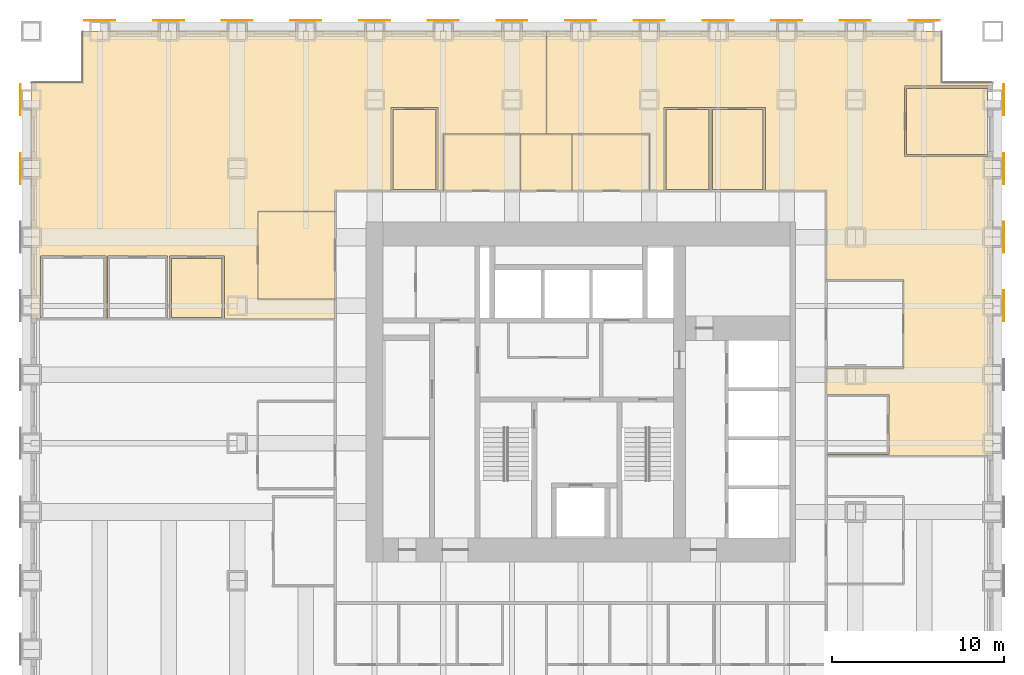
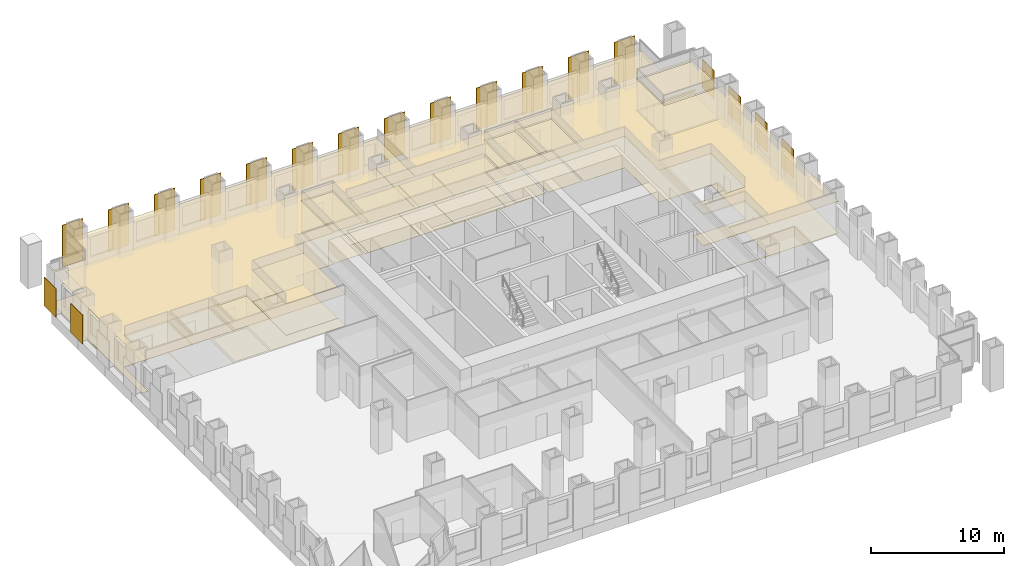
# One storey, part 15 of 15: 22 coverings, 19 shading devices.
"""IFC4 building model written with IfcOpenShell, lengths in metres."""

import ifcopenshell
import ifcopenshell.guid

model = None  # the IFC model being written
_history = None  # IfcOwnerHistory: only IFC2X3 demands one
_inside = {}  # id of a spatial element -> (the spatial element, [elements in it])
_under = {}  # id of a project, library or spatial element -> (it, [spatial elements below it])
_declared = {}  # id of a project -> (the project, [libraries it declares])
_typed = {}  # id of a type object -> (the type object, [elements of that type])
_made_of = {}  # id of a material, layer set ... -> (it, [elements and type objects made of it])


def new_model(schema):
    """Start an empty IFC model of exactly this schema.

    Asked for "IFC4X3", IfcOpenShell would pick the latest addendum, in which some entities
    have other attributes; the version numbers below select the first issue.
    IFC2X3 requires an IfcOwnerHistory on every rooted entity: one is made here for all.
    """
    global model, _history
    if schema == "IFC4X3":
        model = ifcopenshell.file(schema_version=(4, 3, 0, 0))
    else:
        model = ifcopenshell.file(schema=schema)
    _inside.clear()
    _under.clear()
    _declared.clear()
    _typed.clear()
    _made_of.clear()
    _history = None
    if model.schema == "IFC2X3":
        org = make("IfcOrganization", Name="unknown")
        user = make(
            "IfcPersonAndOrganization",
            ThePerson=make("IfcPerson", FamilyName="unknown"),
            TheOrganization=org,
        )
        app = make(
            "IfcApplication",
            ApplicationDeveloper=org,
            Version="unknown",
            ApplicationFullName="unknown",
            ApplicationIdentifier="unknown",
        )
        _history = make(
            "IfcOwnerHistory",
            OwningUser=user,
            OwningApplication=app,
            ChangeAction="ADDED",
            CreationDate=0,
        )
    return model


def make(cls, **values):
    """One entity of the class cls with the attributes given. An attribute that is None is left unset."""
    return model.create_entity(
        cls, **{name: value for name, value in values.items() if value is not None}
    )


def rooted(cls, **values):
    """An entity with a GlobalId (a new one), such as an element, a storey or a relation."""
    return make(cls, GlobalId=ifcopenshell.guid.new(), OwnerHistory=_history, **values)


def si_unit(unit_type, name, prefix=None):
    """IfcSIUnit, for example si_unit("LENGTHUNIT", "METRE", prefix="MILLI")."""
    return make("IfcSIUnit", UnitType=unit_type, Prefix=prefix, Name=name)


def assignment(units):
    """IfcUnitAssignment: the units of a project."""
    return None if units is None else make("IfcUnitAssignment", Units=units)


def point(xyz):
    """IfcCartesianPoint."""
    return None if xyz is None else make("IfcCartesianPoint", Coordinates=xyz)


def direction(xyz):
    """IfcDirection."""
    return None if xyz is None else make("IfcDirection", DirectionRatios=xyz)


def frame(location, z_axis=None, x_axis=None):
    """IfcAxis2Placement3D, a coordinate frame: its origin and axes. An axis left out is left unset."""
    return make(
        "IfcAxis2Placement3D",
        Location=point(location),
        Axis=direction(z_axis),
        RefDirection=direction(x_axis),
    )


def frame_2d(location, x_axis=None):
    """IfcAxis2Placement2D, a coordinate frame in the plane: its origin and x axis."""
    return make(
        "IfcAxis2Placement2D", Location=point(location), RefDirection=direction(x_axis)
    )


def origin():
    """The frame at (0, 0, 0) with its axes left unset."""
    return frame((0.0, 0.0, 0.0))


def origin_2d():
    """The frame at (0, 0) in the plane with its x axis left unset."""
    return frame_2d((0.0, 0.0))


def place(relative_to, where):
    """IfcLocalPlacement: puts the frame where relative to a parent placement (None: the world)."""
    return make(
        "IfcLocalPlacement", PlacementRelTo=relative_to, RelativePlacement=where
    )


def context(
    kind, dimensions, precision=None, world=None, true_north=None, identifier=None
):
    """IfcGeometricRepresentationContext, for example the 3D "Model" context."""
    return make(
        "IfcGeometricRepresentationContext",
        ContextIdentifier=identifier,
        ContextType=kind,
        CoordinateSpaceDimension=dimensions,
        Precision=precision,
        WorldCoordinateSystem=world,
        TrueNorth=true_north,
    )


def subcontext(parent, identifier, kind, view, scale=None):
    """IfcGeometricRepresentationSubContext, for example "Body" below "Model"."""
    return make(
        "IfcGeometricRepresentationSubContext",
        ContextIdentifier=identifier,
        ContextType=kind,
        ParentContext=parent,
        TargetScale=scale,
        TargetView=view,
    )


def project(units=None, contexts=None):
    """IfcProject with its units and contexts."""
    return rooted(
        "IfcProject",
        Name="project",
        RepresentationContexts=contexts,
        UnitsInContext=assignment(units),
    )


def spatial(cls, under=None, at=None, **own):
    """A site, building, storey or space (cls), placed at a placement, below another one or the project."""
    s = rooted(cls, ObjectPlacement=at, **own)
    if under is not None:
        _under.setdefault(under.id(), (under, []))[1].append(s)
    return s


def polyline(points):
    """IfcPolyline through the points."""
    return make("IfcPolyline", Points=[point(p) for p in points])


def profile(cls, at=None, kind="AREA", **sizes):
    """A parametric profile (cls). Its sizes go by their IFC names, for example OverallWidth=200.0."""
    return make(cls, ProfileType=kind, Position=at, **sizes)


def rectangle(**sizes):
    """IfcRectangleProfileDef."""
    return profile("IfcRectangleProfileDef", **sizes)


def outline(outer, holes=None, kind="AREA"):
    """IfcArbitraryClosedProfileDef: a profile drawn as a closed curve; with holes, ...WithVoids."""
    if holes is None:
        return make("IfcArbitraryClosedProfileDef", ProfileType=kind, OuterCurve=outer)
    return make(
        "IfcArbitraryProfileDefWithVoids",
        ProfileType=kind,
        OuterCurve=outer,
        InnerCurves=holes,
    )


def extrude(swept, where, along, depth):
    """IfcExtrudedAreaSolid: the profile swept, set in the frame where, extruded along a direction by depth."""
    return make(
        "IfcExtrudedAreaSolid",
        SweptArea=swept,
        Position=where,
        ExtrudedDirection=direction(along),
        Depth=depth,
    )


def shape(context_of_items, identifier, shape_type, items):
    """IfcShapeRepresentation: the items that make up one representation, for example the "Body"."""
    return make(
        "IfcShapeRepresentation",
        ContextOfItems=context_of_items,
        RepresentationIdentifier=identifier,
        RepresentationType=shape_type,
        Items=items,
    )


def material(Name=None, Category=None):
    """IfcMaterial."""
    return make("IfcMaterial", Name=Name, Category=Category)


def layer(
    of_material, thickness, ventilated=None, Name=None, Category=None, Priority=None
):
    """IfcMaterialLayer: one layer of a wall or slab, of a material (None: an air gap)."""
    return make(
        "IfcMaterialLayer",
        Material=of_material,
        LayerThickness=thickness,
        IsVentilated=ventilated,
        Name=Name,
        Category=Category,
        Priority=Priority,
    )


def layer_set(layers, Name=None):
    """IfcMaterialLayerSet."""
    return make("IfcMaterialLayerSet", MaterialLayers=layers, LayerSetName=Name)


def made_of(thing, what):
    """Note that an element or type object is made of a material, layer set ...; save() writes the relation."""
    if what is not None:
        _made_of.setdefault(what.id(), (what, []))[1].append(thing)
    return thing


def type_object(cls, material=None, **own):
    """A type object (cls), such as IfcWallType, which elements share."""
    return made_of(rooted(cls, **own), material)


def element(
    cls,
    number,
    at=None,
    inside=None,
    cuts=None,
    type_object=None,
    material=None,
    context=None,
    identifier="Body",
    shape_type=None,
    held_by="IfcProductDefinitionShape",
    body=None,
    shapes=None,
    **own,
):
    """One element of the class cls, such as IfcWall. Its Tag is "e" and its number.

    at: its placement. inside: the storey or other place that contains it. cuts: it is an
    opening in that element (IfcRelVoidsElement). A single representation is given by context,
    identifier, shape_type and body (its items); several are given by shapes. held_by: the class
    of the entity that holds the representations. save() writes the other relations.
    """
    e = rooted(cls, Tag="e%d" % number, ObjectPlacement=at, **own)
    if body is not None:
        shapes = [shape(context, identifier, shape_type, body)]
    if shapes is not None:
        e.Representation = make(held_by, Representations=shapes)
    if inside is not None:
        _inside.setdefault(inside.id(), (inside, []))[1].append(e)
    if cuts is not None:
        rooted(
            "IfcRelVoidsElement", RelatingBuildingElement=cuts, RelatedOpeningElement=e
        )
    if type_object is not None:
        _typed.setdefault(type_object.id(), (type_object, []))[1].append(e)
    return made_of(e, material)


def aggregate(whole, parts):
    """IfcRelAggregates: a whole, such as a stair, and the parts it consists of."""
    return rooted("IfcRelAggregates", RelatingObject=whole, RelatedObjects=parts)


def save(model, path):
    """Write the relations noted so far, then the file.

    IfcRelAggregates (storeys below a building ...), IfcRelContainedInSpatialStructure (elements
    in a storey), IfcRelDefinesByType, IfcRelAssociatesMaterial and IfcRelDeclares: one each for
    every whole, place, type object, material and project.
    """
    for whole, parts in _under.values():
        aggregate(whole, parts)
    for where, things in _inside.values():
        rooted(
            "IfcRelContainedInSpatialStructure",
            RelatedElements=things,
            RelatingStructure=where,
        )
    for kind, things in _typed.values():
        rooted("IfcRelDefinesByType", RelatedObjects=things, RelatingType=kind)
    for what, things in _made_of.values():
        rooted("IfcRelAssociatesMaterial", RelatedObjects=things, RelatingMaterial=what)
    for by, libraries in _declared.values():
        rooted("IfcRelDeclares", RelatingContext=by, RelatedDefinitions=libraries)
    model.write(path)


model = new_model("IFC4")

# Units and contexts
model_context = context("Model", 3, precision=1e-05, world=origin(), true_north=direction((0.0, 1.0)))
body_context = subcontext(model_context, "Body", "Model", "MODEL_VIEW")
ifc_project = project(units=[si_unit("LENGTHUNIT", "METRE"), si_unit("AREAUNIT", "SQUARE_METRE"), si_unit("VOLUMEUNIT", "CUBIC_METRE"), si_unit("PLANEANGLEUNIT", "RADIAN"), si_unit("MASSUNIT", "GRAM", prefix="KILO")], contexts=[model_context])

# Site, building, storey
site_placement = place(None, origin())
site = spatial("IfcSite", under=ifc_project, at=site_placement, CompositionType="ELEMENT")
building_placement = place(site_placement, origin())
building = spatial("IfcBuilding", under=site, at=building_placement, Name="Rimbunsela Tower", CompositionType="ELEMENT")
storey_placement = place(building_placement, frame((0.0, 0.0, 67.0)))
storey = spatial("IfcBuildingStorey", under=building, at=storey_placement, Name="L16", CompositionType="ELEMENT", Elevation=67.0)

# Coverings
ifc_material_1 = material(Name="Nylon carpet tile", Category="textile")
ifc_layer_1 = layer(ifc_material_1, 0.010009765625)
ifc_layer_set_1 = layer_set([ifc_layer_1], Name="Carpet tile 10")
covering_type_1 = type_object("IfcCoveringType", Name="Carpet tile 10", PredefinedType="FLOORING", material=ifc_layer_set_1)
covering_1_placement = place(storey_placement, origin())
element("IfcCovering", 1, at=covering_1_placement, inside=storey, type_object=covering_type_1, Name="Floor finish Open office", PredefinedType="FLOORING", context=body_context, shape_type="SweptSolid", body=[
    extrude(outline(polyline([(11.199951171875, 37.5), (11.199951171875, 32.39990234375), (15.699951171875, 32.39990234375), (15.699951171875, 31.2509765625), (9.25, 31.2509765625), (9.25, 34.89990234375), (6.050048828125, 34.89990234375), (6.050048828125, 31.2509765625), (5.949951171875, 31.2509765625), (5.949951171875, 34.89990234375), (2.449951171875, 34.89990234375), (2.449951171875, 31.2509765625), (2.35009765625, 31.2509765625), (2.35009765625, 34.89990234375), (-1.449951171875, 34.89990234375), (-1.449951171875, 31.2509765625), (-2.0, 31.2509765625), (-2.0, 45.0), (1.0, 45.0), (1.0, 48.0), (15.699951171875, 48.0), (27.9990234375, 48.0), (27.9990234375, 42.0), (22.0, 42.0), (22.0, 38.699951171875), (21.699951171875, 38.699951171875), (21.699951171875, 43.550048828125), (18.949951171875, 43.550048828125), (18.949951171875, 38.699951171875), (15.699951171875, 38.699951171875), (15.699951171875, 37.5), (11.199951171875, 37.5)])), origin(), (0.0, 0.0, 1.0), 0.010009765625),
])
covering_2_placement = place(storey_placement, origin())
element("IfcCovering", 2, at=covering_2_placement, inside=storey, type_object=covering_type_1, Name="Floor finish Open office", PredefinedType="FLOORING", context=body_context, shape_type="SweptSolid", body=[
    extrude(outline(polyline([(48.85009765625, 44.800048828125), (48.85009765625, 40.699951171875), (54.0, 40.699951171875), (54.0, 23.2509765625), (44.300048828125, 23.2509765625), (44.300048828125, 23.35009765625), (47.949951171875, 23.35009765625), (47.949951171875, 26.85009765625), (44.300048828125, 26.85009765625), (44.300048828125, 28.39990234375), (48.800048828125, 28.39990234375), (48.800048828125, 33.5), (44.300048828125, 33.5), (44.300048828125, 38.699951171875), (40.75, 38.699951171875), (40.75, 43.550048828125), (37.60009765625, 43.550048828125), (37.550048828125, 43.550048828125), (34.85009765625, 43.550048828125), (34.85009765625, 38.699951171875), (34.0, 38.699951171875), (34.0, 42.0), (28.0009765625, 42.0), (28.0009765625, 48.0), (44.300048828125, 48.0), (51.0, 48.0), (51.0, 45.0), (54.0, 45.0), (54.0, 44.800048828125), (48.85009765625, 44.800048828125)])), origin(), (0.0, 0.0, 1.0), 0.010009765625),
])
covering_3_placement = place(storey_placement, origin())
element("IfcCovering", 3, at=covering_3_placement, inside=storey, type_object=covering_type_1, Name="Floor finish Reception", PredefinedType="FLOORING", context=body_context, shape_type="SweptSolid", body=[
    extrude(outline(polyline([(15.699951171875, 32.39990234375), (15.699951171875, 37.5), (11.199951171875, 37.5), (11.199951171875, 32.39990234375), (15.699951171875, 32.39990234375)])), origin(), (0.0, 0.0, 1.0), 0.010009765625),
])
covering_4_placement = place(storey_placement, origin())
element("IfcCovering", 4, at=covering_4_placement, inside=storey, type_object=covering_type_1, Name="Floor finish Meeting room", PredefinedType="FLOORING", context=body_context, shape_type="SweptSolid", body=[
    extrude(outline(polyline([(53.699951171875, 40.824951171875), (53.699951171875, 44.675048828125), (48.97509765625, 44.675048828125), (48.97509765625, 40.824951171875), (53.699951171875, 40.824951171875)])), origin(), (0.0, 0.0, 1.0), 0.010009765625),
])
covering_5_placement = place(storey_placement, origin())
element("IfcCovering", 5, at=covering_5_placement, inside=storey, type_object=covering_type_1, Name="Floor finish Print and copy room", PredefinedType="FLOORING", context=body_context, shape_type="SweptSolid", body=[
    extrude(outline(polyline([(21.574951171875, 38.77490234375), (21.574951171875, 43.425048828125), (19.074951171875, 43.425048828125), (19.074951171875, 38.77490234375), (21.574951171875, 38.77490234375)])), origin(), (0.0, 0.0, 1.0), 0.010009765625),
])
covering_6_placement = place(storey_placement, origin())
element("IfcCovering", 6, at=covering_6_placement, inside=storey, type_object=covering_type_1, Name="Floor finish Office", PredefinedType="FLOORING", context=body_context, shape_type="SweptSolid", body=[
    extrude(outline(polyline([(9.125, 31.324951171875), (9.125, 34.77490234375), (6.175048828125, 34.77490234375), (6.175048828125, 31.324951171875), (9.125, 31.324951171875)])), origin(), (0.0, 0.0, 1.0), 0.010009765625),
])
covering_7_placement = place(storey_placement, origin())
element("IfcCovering", 7, at=covering_7_placement, inside=storey, type_object=covering_type_1, Name="Floor finish Print and copy room", PredefinedType="FLOORING", context=body_context, shape_type="SweptSolid", body=[
    extrude(outline(polyline([(37.47509765625, 38.77490234375), (37.47509765625, 43.425048828125), (34.97509765625, 43.425048828125), (34.97509765625, 38.77490234375), (37.47509765625, 38.77490234375)])), origin(), (0.0, 0.0, 1.0), 0.010009765625),
])
covering_8_placement = place(storey_placement, origin())
element("IfcCovering", 8, at=covering_8_placement, inside=storey, type_object=covering_type_1, Name="Floor finish Office", PredefinedType="FLOORING", context=body_context, shape_type="SweptSolid", body=[
    extrude(outline(polyline([(40.625, 38.77490234375), (40.625, 43.425048828125), (37.675048828125, 43.425048828125), (37.675048828125, 38.77490234375), (40.625, 38.77490234375)])), origin(), (0.0, 0.0, 1.0), 0.010009765625),
])
ifc_material_2 = material(Name="Mineral fibre ceiling tile", Category="gypsum")
ifc_layer_2 = layer(ifc_material_2, 0.02001953125)
ifc_layer_set_2 = layer_set([ifc_layer_2], Name="Ceiling 600 grid")
covering_type_2 = type_object("IfcCoveringType", Name="Ceiling 600 grid", PredefinedType="CEILING", material=ifc_layer_set_2)
covering_9_placement = place(storey_placement, frame((0.0, 0.0, 2.89990234375)))
element("IfcCovering", 9, at=covering_9_placement, inside=storey, type_object=covering_type_2, Name="Ceiling Open office", PredefinedType="CEILING", context=body_context, shape_type="SweptSolid", body=[
    extrude(outline(polyline([(11.199951171875, 37.5), (11.199951171875, 32.39990234375), (15.699951171875, 32.39990234375), (15.699951171875, 31.2509765625), (9.25, 31.2509765625), (9.25, 34.89990234375), (6.050048828125, 34.89990234375), (6.050048828125, 31.2509765625), (5.949951171875, 31.2509765625), (5.949951171875, 34.89990234375), (2.449951171875, 34.89990234375), (2.449951171875, 31.2509765625), (2.35009765625, 31.2509765625), (2.35009765625, 34.89990234375), (-1.449951171875, 34.89990234375), (-1.449951171875, 31.2509765625), (-2.0, 31.2509765625), (-2.0, 45.0), (1.0, 45.0), (1.0, 48.0), (15.699951171875, 48.0), (27.9990234375, 48.0), (27.9990234375, 42.0), (22.0, 42.0), (22.0, 38.699951171875), (21.699951171875, 38.699951171875), (21.699951171875, 43.550048828125), (18.949951171875, 43.550048828125), (18.949951171875, 38.699951171875), (15.699951171875, 38.699951171875), (15.699951171875, 37.5), (11.199951171875, 37.5)])), origin(), (0.0, 0.0, 1.0), 0.02001953125),
])
covering_10_placement = place(storey_placement, frame((0.0, 0.0, 2.89990234375)))
element("IfcCovering", 10, at=covering_10_placement, inside=storey, type_object=covering_type_2, Name="Ceiling Open office", PredefinedType="CEILING", context=body_context, shape_type="SweptSolid", body=[
    extrude(outline(polyline([(48.85009765625, 44.800048828125), (48.85009765625, 40.699951171875), (54.0, 40.699951171875), (54.0, 23.2509765625), (44.300048828125, 23.2509765625), (44.300048828125, 23.35009765625), (47.949951171875, 23.35009765625), (47.949951171875, 26.85009765625), (44.300048828125, 26.85009765625), (44.300048828125, 28.39990234375), (48.800048828125, 28.39990234375), (48.800048828125, 33.5), (44.300048828125, 33.5), (44.300048828125, 38.699951171875), (40.75, 38.699951171875), (40.75, 43.550048828125), (37.60009765625, 43.550048828125), (37.550048828125, 43.550048828125), (34.85009765625, 43.550048828125), (34.85009765625, 38.699951171875), (34.0, 38.699951171875), (34.0, 42.0), (28.0009765625, 42.0), (28.0009765625, 48.0), (44.300048828125, 48.0), (51.0, 48.0), (51.0, 45.0), (54.0, 45.0), (54.0, 44.800048828125), (48.85009765625, 44.800048828125)])), origin(), (0.0, 0.0, 1.0), 0.02001953125),
])
covering_11_placement = place(storey_placement, frame((0.0, 0.0, 2.89990234375)))
element("IfcCovering", 11, at=covering_11_placement, inside=storey, type_object=covering_type_2, Name="Ceiling Reception", PredefinedType="CEILING", context=body_context, shape_type="SweptSolid", body=[
    extrude(outline(polyline([(15.699951171875, 32.39990234375), (15.699951171875, 37.5), (11.199951171875, 37.5), (11.199951171875, 32.39990234375), (15.699951171875, 32.39990234375)])), origin(), (0.0, 0.0, 1.0), 0.02001953125),
])
covering_12_placement = place(storey_placement, frame((0.0, 0.0, 2.89990234375)))
element("IfcCovering", 12, at=covering_12_placement, inside=storey, type_object=covering_type_2, Name="Ceiling Meeting room", PredefinedType="CEILING", context=body_context, shape_type="SweptSolid", body=[
    extrude(outline(polyline([(53.699951171875, 40.824951171875), (53.699951171875, 44.675048828125), (48.97509765625, 44.675048828125), (48.97509765625, 40.824951171875), (53.699951171875, 40.824951171875)])), origin(), (0.0, 0.0, 1.0), 0.02001953125),
])
covering_13_placement = place(storey_placement, frame((0.0, 0.0, 2.89990234375)))
element("IfcCovering", 13, at=covering_13_placement, inside=storey, type_object=covering_type_2, Name="Ceiling Print and copy room", PredefinedType="CEILING", context=body_context, shape_type="SweptSolid", body=[
    extrude(outline(polyline([(21.574951171875, 38.77490234375), (21.574951171875, 43.425048828125), (19.074951171875, 43.425048828125), (19.074951171875, 38.77490234375), (21.574951171875, 38.77490234375)])), origin(), (0.0, 0.0, 1.0), 0.02001953125),
])
covering_14_placement = place(storey_placement, frame((0.0, 0.0, 2.89990234375)))
element("IfcCovering", 14, at=covering_14_placement, inside=storey, type_object=covering_type_2, Name="Ceiling Office", PredefinedType="CEILING", context=body_context, shape_type="SweptSolid", body=[
    extrude(outline(polyline([(9.125, 31.324951171875), (9.125, 34.77490234375), (6.175048828125, 34.77490234375), (6.175048828125, 31.324951171875), (9.125, 31.324951171875)])), origin(), (0.0, 0.0, 1.0), 0.02001953125),
])
covering_15_placement = place(storey_placement, frame((0.0, 0.0, 2.89990234375)))
element("IfcCovering", 15, at=covering_15_placement, inside=storey, type_object=covering_type_2, Name="Ceiling Print and copy room", PredefinedType="CEILING", context=body_context, shape_type="SweptSolid", body=[
    extrude(outline(polyline([(37.47509765625, 38.77490234375), (37.47509765625, 43.425048828125), (34.97509765625, 43.425048828125), (34.97509765625, 38.77490234375), (37.47509765625, 38.77490234375)])), origin(), (0.0, 0.0, 1.0), 0.02001953125),
])
covering_16_placement = place(storey_placement, frame((0.0, 0.0, 2.89990234375)))
element("IfcCovering", 16, at=covering_16_placement, inside=storey, type_object=covering_type_2, Name="Ceiling Office", PredefinedType="CEILING", context=body_context, shape_type="SweptSolid", body=[
    extrude(outline(polyline([(40.625, 38.77490234375), (40.625, 43.425048828125), (37.675048828125, 43.425048828125), (37.675048828125, 38.77490234375), (40.625, 38.77490234375)])), origin(), (0.0, 0.0, 1.0), 0.02001953125),
])
ifc_material_3 = material(Name="Moisture-resistant plasterboard ceiling", Category="gypsum")
ifc_layer_3 = layer(ifc_material_3, 0.012451171875)
ifc_layer_set_3 = layer_set([ifc_layer_3], Name="Ceiling moisture-resistant board")
covering_type_3 = type_object("IfcCoveringType", Name="Ceiling moisture-resistant board", PredefinedType="CEILING", material=ifc_layer_set_3)
covering_17_placement = place(storey_placement, frame((0.0, 0.0, 2.60009765625)))
element("IfcCovering", 17, at=covering_17_placement, inside=storey, type_object=covering_type_3, Name="Ceiling Female WC", PredefinedType="CEILING", context=body_context, shape_type="SweptSolid", body=[
    extrude(outline(polyline([(26.5, 38.699951171875), (26.5, 42.0), (22.0, 42.0), (22.0, 38.699951171875), (26.5, 38.699951171875)])), origin(), (0.0, 0.0, 1.0), 0.02001953125),
])
covering_18_placement = place(storey_placement, frame((0.0, 0.0, 2.60009765625)))
element("IfcCovering", 18, at=covering_18_placement, inside=storey, type_object=covering_type_3, Name="Ceiling Accessible WC", PredefinedType="CEILING", context=body_context, shape_type="SweptSolid", body=[
    extrude(outline(polyline([(29.5, 38.699951171875), (29.5, 42.0), (26.5, 42.0), (26.5, 38.699951171875), (29.5, 38.699951171875)])), origin(), (0.0, 0.0, 1.0), 0.02001953125),
])
covering_19_placement = place(storey_placement, frame((0.0, 0.0, 2.60009765625)))
element("IfcCovering", 19, at=covering_19_placement, inside=storey, type_object=covering_type_3, Name="Ceiling Male WC", PredefinedType="CEILING", context=body_context, shape_type="SweptSolid", body=[
    extrude(outline(polyline([(34.0, 38.699951171875), (34.0, 42.0), (29.5, 42.0), (29.5, 38.699951171875), (34.0, 38.699951171875)])), origin(), (0.0, 0.0, 1.0), 0.02001953125),
])
ifc_material_4 = material(Name="Porcelain floor tile in adhesive bed", Category="ceramic")
ifc_layer_4 = layer(ifc_material_4, 0.02001953125)
ifc_layer_set_4 = layer_set([ifc_layer_4], Name="Porcelain tile 20")
covering_type_4 = type_object("IfcCoveringType", Name="Porcelain tile 20", PredefinedType="FLOORING", material=ifc_layer_set_4)
covering_20_placement = place(storey_placement, origin())
element("IfcCovering", 20, at=covering_20_placement, inside=storey, type_object=covering_type_4, Name="Floor finish Female WC", PredefinedType="FLOORING", context=body_context, shape_type="SweptSolid", body=[
    extrude(outline(polyline([(26.5, 38.699951171875), (26.5, 42.0), (22.0, 42.0), (22.0, 38.699951171875), (26.5, 38.699951171875)])), origin(), (0.0, 0.0, 1.0), 0.02001953125),
])
covering_21_placement = place(storey_placement, origin())
element("IfcCovering", 21, at=covering_21_placement, inside=storey, type_object=covering_type_4, Name="Floor finish Accessible WC", PredefinedType="FLOORING", context=body_context, shape_type="SweptSolid", body=[
    extrude(outline(polyline([(29.5, 38.699951171875), (29.5, 42.0), (26.5, 42.0), (26.5, 38.699951171875), (29.5, 38.699951171875)])), origin(), (0.0, 0.0, 1.0), 0.02001953125),
])
covering_22_placement = place(storey_placement, origin())
element("IfcCovering", 22, at=covering_22_placement, inside=storey, type_object=covering_type_4, Name="Floor finish Male WC", PredefinedType="FLOORING", context=body_context, shape_type="SweptSolid", body=[
    extrude(outline(polyline([(34.0, 38.699951171875), (34.0, 42.0), (29.5, 42.0), (29.5, 38.699951171875), (34.0, 38.699951171875)])), origin(), (0.0, 0.0, 1.0), 0.02001953125),
])

# Shading devices
ifc_material_5 = material(Name="Perforated aluminium, 35 % open area", Category="aluminium")
ifc_layer_5 = layer(ifc_material_5, 0.050048828125)
ifc_layer_set_5 = layer_set([ifc_layer_5], Name="Solar screen panel 1800")
shading_device_type = type_object("IfcShadingDeviceType", Name="Solar screen panel 1800", PredefinedType="USERDEFINED", material=ifc_layer_set_5)
for number, where, z_axis, x_axis, name in (
    (23, (54.625, 32.0, 0.0), (0.0, 0.0, 1.0), (0.0, 1.0, 0.0), "Solar screen E L16"),
    (24, (54.625, 36.0, 0.0), (0.0, 0.0, 1.0), (0.0, 1.0, 0.0), "Solar screen E L16"),
    (25, (54.625, 40.0, 0.0), (0.0, 0.0, 1.0), (0.0, 1.0, 0.0), "Solar screen E L16"),
    (26, (54.625, 44.0, 0.0), (0.0, 0.0, 1.0), (0.0, 1.0, 0.0), "Solar screen E L16"),
):
    element("IfcShadingDevice", number, at=place(storey_placement, frame(where, z_axis=z_axis, x_axis=x_axis)), inside=storey, type_object=shading_device_type, Name=name, ObjectType="SCREEN", PredefinedType="USERDEFINED", context=body_context, shape_type="SweptSolid", body=[
        extrude(rectangle(XDim=1.800048828125, YDim=0.050048828125, at=origin_2d()), origin(), (0.0, 0.0, 1.0), 2.64990234375),
    ])
for number, where, z_axis, x_axis, name in (
    (27, (2.0, 48.625, 0.0), (0.0, 0.0, 1.0), (1.0, 0.0, 0.0), "Solar screen N L16"),
    (28, (6.0, 48.625, 0.0), (0.0, 0.0, 1.0), (1.0, 0.0, 0.0), "Solar screen N L16"),
    (29, (10.0, 48.625, 0.0), (0.0, 0.0, 1.0), (1.0, 0.0, 0.0), "Solar screen N L16"),
    (30, (14.0, 48.625, 0.0), (0.0, 0.0, 1.0), (1.0, 0.0, 0.0), "Solar screen N L16"),
    (31, (18.0, 48.625, 0.0), (0.0, 0.0, 1.0), (1.0, 0.0, 0.0), "Solar screen N L16"),
    (32, (22.0, 48.625, 0.0), (0.0, 0.0, 1.0), (1.0, 0.0, 0.0), "Solar screen N L16"),
    (33, (26.0, 48.625, 0.0), (0.0, 0.0, 1.0), (1.0, 0.0, 0.0), "Solar screen N L16"),
    (34, (30.0, 48.625, 0.0), (0.0, 0.0, 1.0), (1.0, 0.0, 0.0), "Solar screen N L16"),
    (35, (34.0, 48.625, 0.0), (0.0, 0.0, 1.0), (1.0, 0.0, 0.0), "Solar screen N L16"),
    (36, (38.0, 48.625, 0.0), (0.0, 0.0, 1.0), (1.0, 0.0, 0.0), "Solar screen N L16"),
    (37, (42.0, 48.625, 0.0), (0.0, 0.0, 1.0), (1.0, 0.0, 0.0), "Solar screen N L16"),
    (38, (46.0, 48.625, 0.0), (0.0, 0.0, 1.0), (1.0, 0.0, 0.0), "Solar screen N L16"),
    (39, (50.0, 48.625, 0.0), (0.0, 0.0, 1.0), (1.0, 0.0, 0.0), "Solar screen N L16"),
):
    element("IfcShadingDevice", number, at=place(storey_placement, frame(where, z_axis=z_axis, x_axis=x_axis)), inside=storey, type_object=shading_device_type, Name=name, ObjectType="SCREEN", PredefinedType="USERDEFINED", context=body_context, shape_type="SweptSolid", body=[
        extrude(rectangle(XDim=1.800048828125, YDim=0.050048828125, at=origin_2d()), origin(), (0.0, 0.0, 1.0), 3.85009765625),
    ])
for number, where, z_axis, x_axis, name in (
    (40, (-2.625, 40.0, 0.0), (0.0, 0.0, 1.0), (0.0, 1.0, 0.0), "Solar screen W L16"),
    (41, (-2.625, 44.0, 0.0), (0.0, 0.0, 1.0), (0.0, 1.0, 0.0), "Solar screen W L16"),
):
    element("IfcShadingDevice", number, at=place(storey_placement, frame(where, z_axis=z_axis, x_axis=x_axis)), inside=storey, type_object=shading_device_type, Name=name, ObjectType="SCREEN", PredefinedType="USERDEFINED", context=body_context, shape_type="SweptSolid", body=[
        extrude(rectangle(XDim=1.800048828125, YDim=0.050048828125, at=origin_2d()), origin(), (0.0, 0.0, 1.0), 2.64990234375),
    ])

save(model, "model.ifc")
